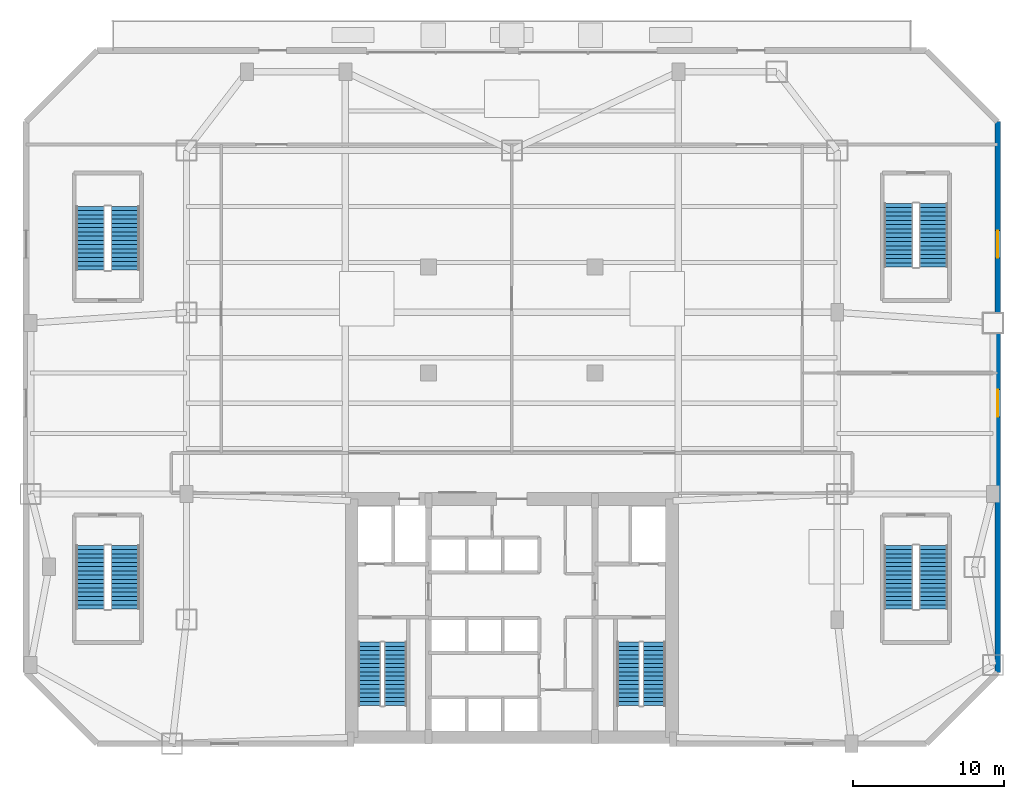
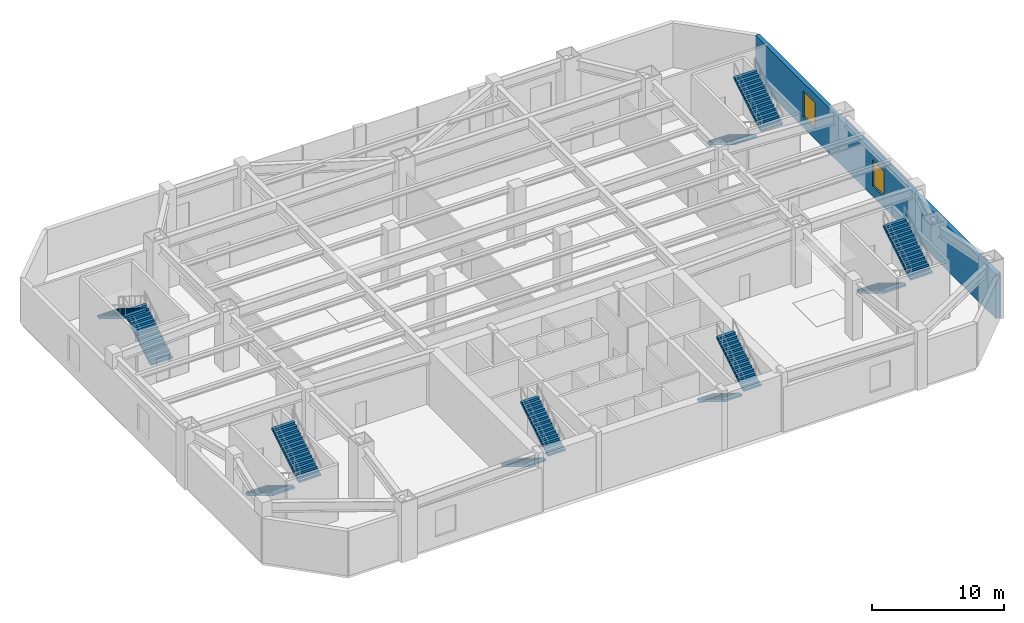
# One storey, part 6 of 9: 12 stair flights, 2 windows, 1 wall, 2 openings, 6 elements without a shape of their own.
"""IFC4 building model written with IfcOpenShell, lengths in metres."""

import ifcopenshell
import ifcopenshell.guid

model = None  # the IFC model being written
_history = None  # IfcOwnerHistory: only IFC2X3 demands one
_inside = {}  # id of a spatial element -> (the spatial element, [elements in it])
_under = {}  # id of a project, library or spatial element -> (it, [spatial elements below it])
_declared = {}  # id of a project -> (the project, [libraries it declares])
_typed = {}  # id of a type object -> (the type object, [elements of that type])
_made_of = {}  # id of a material, layer set ... -> (it, [elements and type objects made of it])


def new_model(schema):
    """Start an empty IFC model of exactly this schema.

    Asked for "IFC4X3", IfcOpenShell would pick the latest addendum, in which some entities
    have other attributes; the version numbers below select the first issue.
    IFC2X3 requires an IfcOwnerHistory on every rooted entity: one is made here for all.
    """
    global model, _history
    if schema == "IFC4X3":
        model = ifcopenshell.file(schema_version=(4, 3, 0, 0))
    else:
        model = ifcopenshell.file(schema=schema)
    _inside.clear()
    _under.clear()
    _declared.clear()
    _typed.clear()
    _made_of.clear()
    _history = None
    if model.schema == "IFC2X3":
        org = make("IfcOrganization", Name="unknown")
        user = make(
            "IfcPersonAndOrganization",
            ThePerson=make("IfcPerson", FamilyName="unknown"),
            TheOrganization=org,
        )
        app = make(
            "IfcApplication",
            ApplicationDeveloper=org,
            Version="unknown",
            ApplicationFullName="unknown",
            ApplicationIdentifier="unknown",
        )
        _history = make(
            "IfcOwnerHistory",
            OwningUser=user,
            OwningApplication=app,
            ChangeAction="ADDED",
            CreationDate=0,
        )
    return model


def make(cls, **values):
    """One entity of the class cls with the attributes given. An attribute that is None is left unset."""
    return model.create_entity(
        cls, **{name: value for name, value in values.items() if value is not None}
    )


def rooted(cls, **values):
    """An entity with a GlobalId (a new one), such as an element, a storey or a relation."""
    return make(cls, GlobalId=ifcopenshell.guid.new(), OwnerHistory=_history, **values)


def si_unit(unit_type, name, prefix=None):
    """IfcSIUnit, for example si_unit("LENGTHUNIT", "METRE", prefix="MILLI")."""
    return make("IfcSIUnit", UnitType=unit_type, Prefix=prefix, Name=name)


def assignment(units):
    """IfcUnitAssignment: the units of a project."""
    return None if units is None else make("IfcUnitAssignment", Units=units)


def point(xyz):
    """IfcCartesianPoint."""
    return None if xyz is None else make("IfcCartesianPoint", Coordinates=xyz)


def direction(xyz):
    """IfcDirection."""
    return None if xyz is None else make("IfcDirection", DirectionRatios=xyz)


def frame(location, z_axis=None, x_axis=None):
    """IfcAxis2Placement3D, a coordinate frame: its origin and axes. An axis left out is left unset."""
    return make(
        "IfcAxis2Placement3D",
        Location=point(location),
        Axis=direction(z_axis),
        RefDirection=direction(x_axis),
    )


def frame_2d(location, x_axis=None):
    """IfcAxis2Placement2D, a coordinate frame in the plane: its origin and x axis."""
    return make(
        "IfcAxis2Placement2D", Location=point(location), RefDirection=direction(x_axis)
    )


def origin():
    """The frame at (0, 0, 0) with its axes left unset."""
    return frame((0.0, 0.0, 0.0))


def place(relative_to, where):
    """IfcLocalPlacement: puts the frame where relative to a parent placement (None: the world)."""
    return make(
        "IfcLocalPlacement", PlacementRelTo=relative_to, RelativePlacement=where
    )


def context(
    kind, dimensions, precision=None, world=None, true_north=None, identifier=None
):
    """IfcGeometricRepresentationContext, for example the 3D "Model" context."""
    return make(
        "IfcGeometricRepresentationContext",
        ContextIdentifier=identifier,
        ContextType=kind,
        CoordinateSpaceDimension=dimensions,
        Precision=precision,
        WorldCoordinateSystem=world,
        TrueNorth=true_north,
    )


def subcontext(parent, identifier, kind, view, scale=None):
    """IfcGeometricRepresentationSubContext, for example "Body" below "Model"."""
    return make(
        "IfcGeometricRepresentationSubContext",
        ContextIdentifier=identifier,
        ContextType=kind,
        ParentContext=parent,
        TargetScale=scale,
        TargetView=view,
    )


def project(units=None, contexts=None):
    """IfcProject with its units and contexts."""
    return rooted(
        "IfcProject",
        Name="project",
        RepresentationContexts=contexts,
        UnitsInContext=assignment(units),
    )


def spatial(cls, under=None, at=None, **own):
    """A site, building, storey or space (cls), placed at a placement, below another one or the project."""
    s = rooted(cls, ObjectPlacement=at, **own)
    if under is not None:
        _under.setdefault(under.id(), (under, []))[1].append(s)
    return s


def polyline(points):
    """IfcPolyline through the points."""
    return make("IfcPolyline", Points=[point(p) for p in points])


def profile(cls, at=None, kind="AREA", **sizes):
    """A parametric profile (cls). Its sizes go by their IFC names, for example OverallWidth=200.0."""
    return make(cls, ProfileType=kind, Position=at, **sizes)


def rectangle(**sizes):
    """IfcRectangleProfileDef."""
    return profile("IfcRectangleProfileDef", **sizes)


def outline(outer, holes=None, kind="AREA"):
    """IfcArbitraryClosedProfileDef: a profile drawn as a closed curve; with holes, ...WithVoids."""
    if holes is None:
        return make("IfcArbitraryClosedProfileDef", ProfileType=kind, OuterCurve=outer)
    return make(
        "IfcArbitraryProfileDefWithVoids",
        ProfileType=kind,
        OuterCurve=outer,
        InnerCurves=holes,
    )


def extrude(swept, where, along, depth):
    """IfcExtrudedAreaSolid: the profile swept, set in the frame where, extruded along a direction by depth."""
    return make(
        "IfcExtrudedAreaSolid",
        SweptArea=swept,
        Position=where,
        ExtrudedDirection=direction(along),
        Depth=depth,
    )


def shape(context_of_items, identifier, shape_type, items):
    """IfcShapeRepresentation: the items that make up one representation, for example the "Body"."""
    return make(
        "IfcShapeRepresentation",
        ContextOfItems=context_of_items,
        RepresentationIdentifier=identifier,
        RepresentationType=shape_type,
        Items=items,
    )


def source(mapping_origin, context_of_items, identifier, shape_type, items):
    """IfcRepresentationMap: a shape defined once, which mapped items show again and again."""
    return make(
        "IfcRepresentationMap",
        MappingOrigin=mapping_origin,
        MappedRepresentation=shape(context_of_items, identifier, shape_type, items),
    )


def transform(
    local_origin,
    x_axis=None,
    y_axis=None,
    z_axis=None,
    scale=None,
    scale2=None,
    scale3=None,
    uniform=True,
):
    """IfcCartesianTransformationOperator3D, or its non-uniform kind. x_axis, y_axis, z_axis: its Axis1, 2, 3."""
    if uniform:
        return make(
            "IfcCartesianTransformationOperator3D",
            Axis1=direction(x_axis),
            Axis2=direction(y_axis),
            LocalOrigin=point(local_origin),
            Scale=scale,
            Axis3=direction(z_axis),
        )
    return make(
        "IfcCartesianTransformationOperator3DnonUniform",
        Axis1=direction(x_axis),
        Axis2=direction(y_axis),
        LocalOrigin=point(local_origin),
        Scale=scale,
        Axis3=direction(z_axis),
        Scale2=scale2,
        Scale3=scale3,
    )


def mapped(mapping_source, mapping_target):
    """IfcMappedItem: shows the shape of a source again, moved by a transform."""
    return make(
        "IfcMappedItem", MappingSource=mapping_source, MappingTarget=mapping_target
    )


def material(Name=None, Category=None):
    """IfcMaterial."""
    return make("IfcMaterial", Name=Name, Category=Category)


def layer(
    of_material, thickness, ventilated=None, Name=None, Category=None, Priority=None
):
    """IfcMaterialLayer: one layer of a wall or slab, of a material (None: an air gap)."""
    return make(
        "IfcMaterialLayer",
        Material=of_material,
        LayerThickness=thickness,
        IsVentilated=ventilated,
        Name=Name,
        Category=Category,
        Priority=Priority,
    )


def layer_set(layers, Name=None):
    """IfcMaterialLayerSet."""
    return make("IfcMaterialLayerSet", MaterialLayers=layers, LayerSetName=Name)


def made_of(thing, what):
    """Note that an element or type object is made of a material, layer set ...; save() writes the relation."""
    if what is not None:
        _made_of.setdefault(what.id(), (what, []))[1].append(thing)
    return thing


def type_object(cls, material=None, **own):
    """A type object (cls), such as IfcWallType, which elements share."""
    return made_of(rooted(cls, **own), material)


def type_shapes(of_type, sources):
    """Give a type object the sources (RepresentationMaps) that its elements show as mapped items."""
    of_type.RepresentationMaps = sources


def element(
    cls,
    number,
    at=None,
    inside=None,
    cuts=None,
    type_object=None,
    material=None,
    context=None,
    identifier="Body",
    shape_type=None,
    held_by="IfcProductDefinitionShape",
    body=None,
    shapes=None,
    **own,
):
    """One element of the class cls, such as IfcWall. Its Tag is "e" and its number.

    at: its placement. inside: the storey or other place that contains it. cuts: it is an
    opening in that element (IfcRelVoidsElement). A single representation is given by context,
    identifier, shape_type and body (its items); several are given by shapes. held_by: the class
    of the entity that holds the representations. save() writes the other relations.
    """
    e = rooted(cls, Tag="e%d" % number, ObjectPlacement=at, **own)
    if body is not None:
        shapes = [shape(context, identifier, shape_type, body)]
    if shapes is not None:
        e.Representation = make(held_by, Representations=shapes)
    if inside is not None:
        _inside.setdefault(inside.id(), (inside, []))[1].append(e)
    if cuts is not None:
        rooted(
            "IfcRelVoidsElement", RelatingBuildingElement=cuts, RelatedOpeningElement=e
        )
    if type_object is not None:
        _typed.setdefault(type_object.id(), (type_object, []))[1].append(e)
    return made_of(e, material)


def fill(opening, filler):
    """IfcRelFillsElement: the door or window that sits in an opening."""
    return rooted(
        "IfcRelFillsElement",
        RelatingOpeningElement=opening,
        RelatedBuildingElement=filler,
    )


def aggregate(whole, parts):
    """IfcRelAggregates: a whole, such as a stair, and the parts it consists of."""
    return rooted("IfcRelAggregates", RelatingObject=whole, RelatedObjects=parts)


def save(model, path):
    """Write the relations noted so far, then the file.

    IfcRelAggregates (storeys below a building ...), IfcRelContainedInSpatialStructure (elements
    in a storey), IfcRelDefinesByType, IfcRelAssociatesMaterial and IfcRelDeclares: one each for
    every whole, place, type object, material and project.
    """
    for whole, parts in _under.values():
        aggregate(whole, parts)
    for where, things in _inside.values():
        rooted(
            "IfcRelContainedInSpatialStructure",
            RelatedElements=things,
            RelatingStructure=where,
        )
    for kind, things in _typed.values():
        rooted("IfcRelDefinesByType", RelatedObjects=things, RelatingType=kind)
    for what, things in _made_of.values():
        rooted("IfcRelAssociatesMaterial", RelatedObjects=things, RelatingMaterial=what)
    for by, libraries in _declared.values():
        rooted("IfcRelDeclares", RelatingContext=by, RelatedDefinitions=libraries)
    model.write(path)


model = new_model("IFC4")

# Units and contexts
model_context = context("Model", 3, precision=1e-05, world=origin(), true_north=direction((0.0, 1.0)))
body_context = subcontext(model_context, "Body", "Model", "MODEL_VIEW")
ifc_project = project(units=[si_unit("LENGTHUNIT", "METRE"), si_unit("AREAUNIT", "SQUARE_METRE"), si_unit("VOLUMEUNIT", "CUBIC_METRE"), si_unit("PLANEANGLEUNIT", "RADIAN"), si_unit("MASSUNIT", "GRAM", prefix="KILO")], contexts=[model_context])

# Site, building, storey
site_placement = place(None, origin())
site = spatial("IfcSite", under=ifc_project, at=site_placement, CompositionType="ELEMENT")
building_placement = place(site_placement, origin())
building = spatial("IfcBuilding", under=site, at=building_placement, Name="Varnakhor Terracotta Tower", CompositionType="ELEMENT")
storey_placement = place(building_placement, frame((0.0, 0.0, 11.0)))
storey = spatial("IfcBuildingStorey", under=building, at=storey_placement, Name="L02", CompositionType="ELEMENT", Elevation=11.0)

# Wall, openings, windows
ifc_material_1 = material(Name="Honed Riyadh Limestone Assembly", Category="masonry")
ifc_layer = layer(ifc_material_1, 0.3798828125, Name="Honed Riyadh Limestone Assembly")
ifc_layer_set = layer_set([ifc_layer], Name="Honed Riyadh Limestone Assembly")
wall_type = type_object("IfcWallType", Name="WAL-EXT-LIMESTONE-380", PredefinedType="SOLIDWALL", material=ifc_layer_set)
wall_placement = place(storey_placement, frame((32.10009765625, 41.10009765625, 0.0), z_axis=(0.0, 0.0, 1.0), x_axis=(0.0, -1.0, 0.0)))
wall = element("IfcWall", 1, at=wall_placement, inside=storey, type_object=wall_type, Name="L02 Podium Side Limestone Wall 5", PredefinedType="SOLIDWALL", context=body_context, shape_type="SweptSolid", body=[
    extrude(rectangle(XDim=36.400146484375, YDim=0.3798828125, at=frame_2d((18.2001953125, 0.0))), origin(), (0.0, 0.0, 1.0), 4.125),
])
opening_1_placement = place(wall_placement, frame((17.699951171875, 0.0, 0.949951171875)))
opening_1 = element("IfcOpeningElement", 2, at=opening_1_placement, cuts=wall, Name="Opening WN-19", PredefinedType="OPENING", context=body_context, shape_type="SweptSolid", body=[
    extrude(rectangle(XDim=1.800048828125, YDim=2.39990234375, at=frame_2d((0.89990234375, 1.199951171875))), frame((0.0, 0.199951171875, 0.0), z_axis=(0.0, -1.0, 0.0), x_axis=(1.0, 0.0, 0.0)), (0.0, 0.0, 1.0), 0.39990234375),
])
opening_2_placement = place(wall_placement, frame((7.199951171875, 0.0, 0.949951171875)))
opening_2 = element("IfcOpeningElement", 3, at=opening_2_placement, cuts=wall, Name="Opening WN-19", PredefinedType="OPENING", context=body_context, shape_type="SweptSolid", body=[
    extrude(rectangle(XDim=1.800048828125, YDim=2.39990234375, at=frame_2d((0.89990234375, 1.199951171875))), frame((0.0, 0.199951171875, 0.0), z_axis=(0.0, -1.0, 0.0), x_axis=(1.0, 0.0, 0.0)), (0.0, 0.0, 1.0), 0.39990234375),
])
ifc_material_2 = material(Name="Solar-Control Low-E Insulated Glass Unit", Category="glass")
window_type = type_object("IfcWindowType", Name="WIN-POD-1800X2400", PartitioningType="SINGLE_PANEL", PredefinedType="WINDOW", material=ifc_material_2)
shared_shape = source(origin(), body_context, "Body", "SweptSolid", [
    extrude(rectangle(XDim=1.800048828125, YDim=2.39990234375, at=frame_2d((0.89990234375, 1.199951171875))), frame((0.0, 0.030029296875, 0.0), z_axis=(0.0, -1.0, 0.0), x_axis=(1.0, 0.0, 0.0)), (0.0, 0.0, 1.0), 0.06005859375),
])
type_shapes(window_type, [shared_shape])
window_1_placement = place(opening_1_placement, origin())
window_1 = element("IfcWindow", 4, at=window_1_placement, inside=storey, type_object=window_type, Name="L02 Side Punched Window 5-2", OverallHeight=2.39990234375, OverallWidth=1.800048828125, PartitioningType="SINGLE_PANEL", PredefinedType="WINDOW", context=body_context, shape_type="MappedRepresentation", body=[
    mapped(shared_shape, transform((0.0, 0.0, 0.0), scale=1.0)),
])
fill(opening_1, window_1)
window_2_placement = place(opening_2_placement, origin())
window_2 = element("IfcWindow", 5, at=window_2_placement, inside=storey, type_object=window_type, Name="L02 Side Punched Window 5-3", OverallHeight=2.39990234375, OverallWidth=1.800048828125, PartitioningType="SINGLE_PANEL", PredefinedType="WINDOW", context=body_context, shape_type="MappedRepresentation", body=[
    mapped(shared_shape, transform((0.0, 0.0, 0.0), scale=1.0)),
])
fill(opening_2, window_2)

# Stair, stair flights
ifc_material_3 = material(Name="Concrete C40/50", Category="concrete")
stair_type_1 = type_object("IfcStairType", Name="STR-CORE-OFFICE-1500", PredefinedType="HALF_TURN_STAIR", material=ifc_material_3)
stair_1_placement = place(storey_placement, origin())
stair_1 = element("IfcStair", 6, at=stair_1_placement, inside=storey, type_object=stair_type_1, Name="L02 Core Exit Stair ST-1", PredefinedType="HALF_TURN_STAIR")
stair_flight_type_1 = type_object("IfcStairFlightType", Name="FLT-CORE-1500", PredefinedType="STRAIGHT", material=ifc_material_3)
stair_flight_1_placement = place(storey_placement, frame((-9.39990234375, 6.7099609375, 0.0), z_axis=(0.0, 0.0, 1.0), x_axis=(0.0, -1.0, 0.0)))
stair_flight_1 = element("IfcStairFlight", 7, at=stair_flight_1_placement, type_object=stair_flight_type_1, Name="ST-1 flight 1", NumberOfRisers=16, NumberOfTreads=15, PredefinedType="STRAIGHT", RiserHeight=0.171875, TreadLength=0.28, context=body_context, shape_type="SweptSolid", body=[
    extrude(outline(polyline([(0.0, 0.0), (0.0, 0.171875), (0.280029296875, 0.171875), (0.280029296875, 0.34375), (0.56005859375, 0.34375), (0.56005859375, 0.515625), (0.840087890625, 0.515625), (0.840087890625, 0.6875), (1.1201171875, 0.6875), (1.1201171875, 0.859375), (1.39990234375, 0.859375), (1.39990234375, 1.03125), (1.679931640625, 1.03125), (1.679931640625, 1.203125), (1.9599609375, 1.203125), (1.9599609375, 1.375), (2.239990234375, 1.375), (2.239990234375, 1.546875), (2.52001953125, 1.546875), (2.52001953125, 1.71875), (2.800048828125, 1.71875), (2.800048828125, 1.890625), (3.080078125, 1.890625), (3.080078125, 2.0625), (3.360107421875, 2.0625), (3.360107421875, 2.234375), (3.639892578125, 2.234375), (3.639892578125, 2.40625), (3.919921875, 2.40625), (3.919921875, 2.578125), (4.199951171875, 2.578125), (4.199951171875, 2.75), (4.199951171875, 2.390380859375), (0.3056640625, 0.0), (0.0, 0.0)])), frame((0.0, 0.75, 0.0), z_axis=(0.0, -1.0, 0.0), x_axis=(1.0, 0.0, 0.0)), (0.0, 0.0, 1.0), 1.5),
])
stair_flight_2_placement = place(storey_placement, frame((-7.699951171875, 2.510009765625, 2.75), z_axis=(0.0, 0.0, 1.0), x_axis=(0.0, 1.0, 0.0)))
stair_flight_2 = element("IfcStairFlight", 8, at=stair_flight_2_placement, type_object=stair_flight_type_1, Name="ST-1 flight 2", NumberOfRisers=16, NumberOfTreads=15, PredefinedType="STRAIGHT", RiserHeight=0.171875, TreadLength=0.28, context=body_context, shape_type="SweptSolid", body=[
    extrude(outline(polyline([(0.0, 0.0), (0.0, 0.171875), (0.280029296875, 0.171875), (0.280029296875, 0.34375), (0.56005859375, 0.34375), (0.56005859375, 0.515625), (0.840087890625, 0.515625), (0.840087890625, 0.6875), (1.1201171875, 0.6875), (1.1201171875, 0.859375), (1.39990234375, 0.859375), (1.39990234375, 1.03125), (1.679931640625, 1.03125), (1.679931640625, 1.203125), (1.9599609375, 1.203125), (1.9599609375, 1.375), (2.239990234375, 1.375), (2.239990234375, 1.546875), (2.52001953125, 1.546875), (2.52001953125, 1.71875), (2.800048828125, 1.71875), (2.800048828125, 1.890625), (3.080078125, 1.890625), (3.080078125, 2.0625), (3.360107421875, 2.0625), (3.360107421875, 2.234375), (3.639892578125, 2.234375), (3.639892578125, 2.40625), (3.919921875, 2.40625), (3.919921875, 2.578125), (4.199951171875, 2.578125), (4.199951171875, 2.75), (4.199951171875, 2.390380859375), (0.3056640625, 0.0), (0.0, 0.0)])), frame((0.0, 0.75, 0.0), z_axis=(0.0, -1.0, 0.0), x_axis=(1.0, 0.0, 0.0)), (0.0, 0.0, 1.0), 1.5),
])
aggregate(stair_1, [stair_flight_1, stair_flight_2])

stair_2_placement = place(storey_placement, origin())
stair_2 = element("IfcStair", 9, at=stair_2_placement, inside=storey, type_object=stair_type_1, Name="L02 Core Exit Stair ST-2", PredefinedType="HALF_TURN_STAIR")
stair_flight_3_placement = place(storey_placement, frame((7.699951171875, 6.7099609375, 0.0), z_axis=(0.0, 0.0, 1.0), x_axis=(0.0, -1.0, 0.0)))
stair_flight_3 = element("IfcStairFlight", 10, at=stair_flight_3_placement, type_object=stair_flight_type_1, Name="ST-2 flight 1", NumberOfRisers=16, NumberOfTreads=15, PredefinedType="STRAIGHT", RiserHeight=0.171875, TreadLength=0.28, context=body_context, shape_type="SweptSolid", body=[
    extrude(outline(polyline([(0.0, 0.0), (0.0, 0.171875), (0.280029296875, 0.171875), (0.280029296875, 0.34375), (0.56005859375, 0.34375), (0.56005859375, 0.515625), (0.840087890625, 0.515625), (0.840087890625, 0.6875), (1.1201171875, 0.6875), (1.1201171875, 0.859375), (1.39990234375, 0.859375), (1.39990234375, 1.03125), (1.679931640625, 1.03125), (1.679931640625, 1.203125), (1.9599609375, 1.203125), (1.9599609375, 1.375), (2.239990234375, 1.375), (2.239990234375, 1.546875), (2.52001953125, 1.546875), (2.52001953125, 1.71875), (2.800048828125, 1.71875), (2.800048828125, 1.890625), (3.080078125, 1.890625), (3.080078125, 2.0625), (3.360107421875, 2.0625), (3.360107421875, 2.234375), (3.639892578125, 2.234375), (3.639892578125, 2.40625), (3.919921875, 2.40625), (3.919921875, 2.578125), (4.199951171875, 2.578125), (4.199951171875, 2.75), (4.199951171875, 2.390380859375), (0.3056640625, 0.0), (0.0, 0.0)])), frame((0.0, 0.75, 0.0), z_axis=(0.0, -1.0, 0.0), x_axis=(1.0, 0.0, 0.0)), (0.0, 0.0, 1.0), 1.5),
])
stair_flight_4_placement = place(storey_placement, frame((9.39990234375, 2.510009765625, 2.75), z_axis=(0.0, 0.0, 1.0), x_axis=(0.0, 1.0, 0.0)))
stair_flight_4 = element("IfcStairFlight", 11, at=stair_flight_4_placement, type_object=stair_flight_type_1, Name="ST-2 flight 2", NumberOfRisers=16, NumberOfTreads=15, PredefinedType="STRAIGHT", RiserHeight=0.171875, TreadLength=0.28, context=body_context, shape_type="SweptSolid", body=[
    extrude(outline(polyline([(0.0, 0.0), (0.0, 0.171875), (0.280029296875, 0.171875), (0.280029296875, 0.34375), (0.56005859375, 0.34375), (0.56005859375, 0.515625), (0.840087890625, 0.515625), (0.840087890625, 0.6875), (1.1201171875, 0.6875), (1.1201171875, 0.859375), (1.39990234375, 0.859375), (1.39990234375, 1.03125), (1.679931640625, 1.03125), (1.679931640625, 1.203125), (1.9599609375, 1.203125), (1.9599609375, 1.375), (2.239990234375, 1.375), (2.239990234375, 1.546875), (2.52001953125, 1.546875), (2.52001953125, 1.71875), (2.800048828125, 1.71875), (2.800048828125, 1.890625), (3.080078125, 1.890625), (3.080078125, 2.0625), (3.360107421875, 2.0625), (3.360107421875, 2.234375), (3.639892578125, 2.234375), (3.639892578125, 2.40625), (3.919921875, 2.40625), (3.919921875, 2.578125), (4.199951171875, 2.578125), (4.199951171875, 2.75), (4.199951171875, 2.390380859375), (0.3056640625, 0.0), (0.0, 0.0)])), frame((0.0, 0.75, 0.0), z_axis=(0.0, -1.0, 0.0), x_axis=(1.0, 0.0, 0.0)), (0.0, 0.0, 1.0), 1.5),
])
aggregate(stair_2, [stair_flight_3, stair_flight_4])

stair_type_2 = type_object("IfcStairType", Name="STR-PODIUM-EXIT-2000", PredefinedType="HALF_TURN_STAIR", material=ifc_material_3)
stair_3_placement = place(storey_placement, origin())
stair_3 = element("IfcStair", 12, at=stair_3_placement, inside=storey, type_object=stair_type_2, Name="L02 Podium Assembly Exit Stair ST-P1", PredefinedType="HALF_TURN_STAIR")
stair_flight_type_2 = type_object("IfcStairFlightType", Name="FLT-PODIUM-2000", PredefinedType="STRAIGHT", material=ifc_material_3)
stair_flight_5_placement = place(storey_placement, frame((-27.85009765625, 13.10009765625, 0.0), z_axis=(0.0, 0.0, 1.0), x_axis=(0.0, -1.0, 0.0)))
stair_flight_5 = element("IfcStairFlight", 13, at=stair_flight_5_placement, type_object=stair_flight_type_2, Name="ST-P1 flight 1", NumberOfRisers=16, NumberOfTreads=15, PredefinedType="STRAIGHT", RiserHeight=0.171875, TreadLength=0.28, context=body_context, shape_type="SweptSolid", body=[
    extrude(outline(polyline([(0.0, 0.0), (0.0, 0.171875), (0.280029296875, 0.171875), (0.280029296875, 0.34375), (0.56005859375, 0.34375), (0.56005859375, 0.515625), (0.840087890625, 0.515625), (0.840087890625, 0.6875), (1.1201171875, 0.6875), (1.1201171875, 0.859375), (1.39990234375, 0.859375), (1.39990234375, 1.03125), (1.679931640625, 1.03125), (1.679931640625, 1.203125), (1.9599609375, 1.203125), (1.9599609375, 1.375), (2.239990234375, 1.375), (2.239990234375, 1.546875), (2.52001953125, 1.546875), (2.52001953125, 1.71875), (2.800048828125, 1.71875), (2.800048828125, 1.890625), (3.080078125, 1.890625), (3.080078125, 2.0625), (3.360107421875, 2.0625), (3.360107421875, 2.234375), (3.639892578125, 2.234375), (3.639892578125, 2.40625), (3.919921875, 2.40625), (3.919921875, 2.578125), (4.199951171875, 2.578125), (4.199951171875, 2.75), (4.199951171875, 2.366943359375), (0.343994140625, 0.0), (0.0, 0.0)])), frame((0.0, 0.949951171875, 0.0), z_axis=(0.0, -1.0, 0.0), x_axis=(1.0, 0.0, 0.0)), (0.0, 0.0, 1.0), 1.89990234375),
])
stair_flight_6_placement = place(storey_placement, frame((-25.550048828125, 8.89990234375, 2.75), z_axis=(0.0, 0.0, 1.0), x_axis=(0.0, 1.0, 0.0)))
stair_flight_6 = element("IfcStairFlight", 14, at=stair_flight_6_placement, type_object=stair_flight_type_2, Name="ST-P1 flight 2", NumberOfRisers=16, NumberOfTreads=15, PredefinedType="STRAIGHT", RiserHeight=0.171875, TreadLength=0.28, context=body_context, shape_type="SweptSolid", body=[
    extrude(outline(polyline([(0.0, 0.0), (0.0, 0.171875), (0.280029296875, 0.171875), (0.280029296875, 0.34375), (0.56005859375, 0.34375), (0.56005859375, 0.515625), (0.840087890625, 0.515625), (0.840087890625, 0.6875), (1.1201171875, 0.6875), (1.1201171875, 0.859375), (1.39990234375, 0.859375), (1.39990234375, 1.03125), (1.679931640625, 1.03125), (1.679931640625, 1.203125), (1.9599609375, 1.203125), (1.9599609375, 1.375), (2.239990234375, 1.375), (2.239990234375, 1.546875), (2.52001953125, 1.546875), (2.52001953125, 1.71875), (2.800048828125, 1.71875), (2.800048828125, 1.890625), (3.080078125, 1.890625), (3.080078125, 2.0625), (3.360107421875, 2.0625), (3.360107421875, 2.234375), (3.639892578125, 2.234375), (3.639892578125, 2.40625), (3.919921875, 2.40625), (3.919921875, 2.578125), (4.199951171875, 2.578125), (4.199951171875, 2.75), (4.199951171875, 2.366943359375), (0.343994140625, 0.0), (0.0, 0.0)])), frame((0.0, 0.949951171875, 0.0), z_axis=(0.0, -1.0, 0.0), x_axis=(1.0, 0.0, 0.0)), (0.0, 0.0, 1.0), 1.89990234375),
])
aggregate(stair_3, [stair_flight_5, stair_flight_6])

stair_4_placement = place(storey_placement, origin())
stair_4 = element("IfcStair", 15, at=stair_4_placement, inside=storey, type_object=stair_type_2, Name="L02 Podium Assembly Exit Stair ST-P2", PredefinedType="HALF_TURN_STAIR")
stair_flight_7_placement = place(storey_placement, frame((25.550048828125, 13.10009765625, 0.0), z_axis=(0.0, 0.0, 1.0), x_axis=(0.0, -1.0, 0.0)))
stair_flight_7 = element("IfcStairFlight", 16, at=stair_flight_7_placement, type_object=stair_flight_type_2, Name="ST-P2 flight 1", NumberOfRisers=16, NumberOfTreads=15, PredefinedType="STRAIGHT", RiserHeight=0.171875, TreadLength=0.28, context=body_context, shape_type="SweptSolid", body=[
    extrude(outline(polyline([(0.0, 0.0), (0.0, 0.171875), (0.280029296875, 0.171875), (0.280029296875, 0.34375), (0.56005859375, 0.34375), (0.56005859375, 0.515625), (0.840087890625, 0.515625), (0.840087890625, 0.6875), (1.1201171875, 0.6875), (1.1201171875, 0.859375), (1.39990234375, 0.859375), (1.39990234375, 1.03125), (1.679931640625, 1.03125), (1.679931640625, 1.203125), (1.9599609375, 1.203125), (1.9599609375, 1.375), (2.239990234375, 1.375), (2.239990234375, 1.546875), (2.52001953125, 1.546875), (2.52001953125, 1.71875), (2.800048828125, 1.71875), (2.800048828125, 1.890625), (3.080078125, 1.890625), (3.080078125, 2.0625), (3.360107421875, 2.0625), (3.360107421875, 2.234375), (3.639892578125, 2.234375), (3.639892578125, 2.40625), (3.919921875, 2.40625), (3.919921875, 2.578125), (4.199951171875, 2.578125), (4.199951171875, 2.75), (4.199951171875, 2.366943359375), (0.343994140625, 0.0), (0.0, 0.0)])), frame((0.0, 0.949951171875, 0.0), z_axis=(0.0, -1.0, 0.0), x_axis=(1.0, 0.0, 0.0)), (0.0, 0.0, 1.0), 1.89990234375),
])
stair_flight_8_placement = place(storey_placement, frame((27.85009765625, 8.89990234375, 2.75), z_axis=(0.0, 0.0, 1.0), x_axis=(0.0, 1.0, 0.0)))
stair_flight_8 = element("IfcStairFlight", 17, at=stair_flight_8_placement, type_object=stair_flight_type_2, Name="ST-P2 flight 2", NumberOfRisers=16, NumberOfTreads=15, PredefinedType="STRAIGHT", RiserHeight=0.171875, TreadLength=0.28, context=body_context, shape_type="SweptSolid", body=[
    extrude(outline(polyline([(0.0, 0.0), (0.0, 0.171875), (0.280029296875, 0.171875), (0.280029296875, 0.34375), (0.56005859375, 0.34375), (0.56005859375, 0.515625), (0.840087890625, 0.515625), (0.840087890625, 0.6875), (1.1201171875, 0.6875), (1.1201171875, 0.859375), (1.39990234375, 0.859375), (1.39990234375, 1.03125), (1.679931640625, 1.03125), (1.679931640625, 1.203125), (1.9599609375, 1.203125), (1.9599609375, 1.375), (2.239990234375, 1.375), (2.239990234375, 1.546875), (2.52001953125, 1.546875), (2.52001953125, 1.71875), (2.800048828125, 1.71875), (2.800048828125, 1.890625), (3.080078125, 1.890625), (3.080078125, 2.0625), (3.360107421875, 2.0625), (3.360107421875, 2.234375), (3.639892578125, 2.234375), (3.639892578125, 2.40625), (3.919921875, 2.40625), (3.919921875, 2.578125), (4.199951171875, 2.578125), (4.199951171875, 2.75), (4.199951171875, 2.366943359375), (0.343994140625, 0.0), (0.0, 0.0)])), frame((0.0, 0.949951171875, 0.0), z_axis=(0.0, -1.0, 0.0), x_axis=(1.0, 0.0, 0.0)), (0.0, 0.0, 1.0), 1.89990234375),
])
aggregate(stair_4, [stair_flight_7, stair_flight_8])

stair_5_placement = place(storey_placement, origin())
stair_5 = element("IfcStair", 18, at=stair_5_placement, inside=storey, type_object=stair_type_2, Name="L02 Podium Assembly Exit Stair ST-P3", PredefinedType="HALF_TURN_STAIR")
stair_flight_9_placement = place(storey_placement, frame((-25.550048828125, 31.300048828125, 0.0), z_axis=(0.0, 0.0, 1.0), x_axis=(0.0, 1.0, 0.0)))
stair_flight_9 = element("IfcStairFlight", 19, at=stair_flight_9_placement, type_object=stair_flight_type_2, Name="ST-P3 flight 1", NumberOfRisers=16, NumberOfTreads=15, PredefinedType="STRAIGHT", RiserHeight=0.171875, TreadLength=0.28, context=body_context, shape_type="SweptSolid", body=[
    extrude(outline(polyline([(0.0, 0.0), (0.0, 0.171875), (0.280029296875, 0.171875), (0.280029296875, 0.34375), (0.56005859375, 0.34375), (0.56005859375, 0.515625), (0.840087890625, 0.515625), (0.840087890625, 0.6875), (1.1201171875, 0.6875), (1.1201171875, 0.859375), (1.39990234375, 0.859375), (1.39990234375, 1.03125), (1.679931640625, 1.03125), (1.679931640625, 1.203125), (1.9599609375, 1.203125), (1.9599609375, 1.375), (2.239990234375, 1.375), (2.239990234375, 1.546875), (2.52001953125, 1.546875), (2.52001953125, 1.71875), (2.800048828125, 1.71875), (2.800048828125, 1.890625), (3.080078125, 1.890625), (3.080078125, 2.0625), (3.360107421875, 2.0625), (3.360107421875, 2.234375), (3.639892578125, 2.234375), (3.639892578125, 2.40625), (3.919921875, 2.40625), (3.919921875, 2.578125), (4.199951171875, 2.578125), (4.199951171875, 2.75), (4.199951171875, 2.366943359375), (0.343994140625, 0.0), (0.0, 0.0)])), frame((0.0, 0.949951171875, 0.0), z_axis=(0.0, -1.0, 0.0), x_axis=(1.0, 0.0, 0.0)), (0.0, 0.0, 1.0), 1.89990234375),
])
stair_flight_10_placement = place(storey_placement, frame((-27.85009765625, 35.5, 2.75), z_axis=(0.0, 0.0, 1.0), x_axis=(0.0, -1.0, 0.0)))
stair_flight_10 = element("IfcStairFlight", 20, at=stair_flight_10_placement, type_object=stair_flight_type_2, Name="ST-P3 flight 2", NumberOfRisers=16, NumberOfTreads=15, PredefinedType="STRAIGHT", RiserHeight=0.171875, TreadLength=0.28, context=body_context, shape_type="SweptSolid", body=[
    extrude(outline(polyline([(0.0, 0.0), (0.0, 0.171875), (0.280029296875, 0.171875), (0.280029296875, 0.34375), (0.56005859375, 0.34375), (0.56005859375, 0.515625), (0.840087890625, 0.515625), (0.840087890625, 0.6875), (1.1201171875, 0.6875), (1.1201171875, 0.859375), (1.39990234375, 0.859375), (1.39990234375, 1.03125), (1.679931640625, 1.03125), (1.679931640625, 1.203125), (1.9599609375, 1.203125), (1.9599609375, 1.375), (2.239990234375, 1.375), (2.239990234375, 1.546875), (2.52001953125, 1.546875), (2.52001953125, 1.71875), (2.800048828125, 1.71875), (2.800048828125, 1.890625), (3.080078125, 1.890625), (3.080078125, 2.0625), (3.360107421875, 2.0625), (3.360107421875, 2.234375), (3.639892578125, 2.234375), (3.639892578125, 2.40625), (3.919921875, 2.40625), (3.919921875, 2.578125), (4.199951171875, 2.578125), (4.199951171875, 2.75), (4.199951171875, 2.366943359375), (0.343994140625, 0.0), (0.0, 0.0)])), frame((0.0, 0.949951171875, 0.0), z_axis=(0.0, -1.0, 0.0), x_axis=(1.0, 0.0, 0.0)), (0.0, 0.0, 1.0), 1.89990234375),
])
aggregate(stair_5, [stair_flight_9, stair_flight_10])

stair_6_placement = place(storey_placement, origin())
stair_6 = element("IfcStair", 21, at=stair_6_placement, inside=storey, type_object=stair_type_2, Name="L02 Podium Assembly Exit Stair ST-P4", PredefinedType="HALF_TURN_STAIR")
stair_flight_11_placement = place(storey_placement, frame((25.550048828125, 35.699951171875, 0.0), z_axis=(0.0, 0.0, 1.0), x_axis=(0.0, -1.0, 0.0)))
stair_flight_11 = element("IfcStairFlight", 22, at=stair_flight_11_placement, type_object=stair_flight_type_2, Name="ST-P4 flight 1", NumberOfRisers=16, NumberOfTreads=15, PredefinedType="STRAIGHT", RiserHeight=0.171875, TreadLength=0.28, context=body_context, shape_type="SweptSolid", body=[
    extrude(outline(polyline([(0.0, 0.0), (0.0, 0.171875), (0.280029296875, 0.171875), (0.280029296875, 0.34375), (0.56005859375, 0.34375), (0.56005859375, 0.515625), (0.840087890625, 0.515625), (0.840087890625, 0.6875), (1.1201171875, 0.6875), (1.1201171875, 0.859375), (1.39990234375, 0.859375), (1.39990234375, 1.03125), (1.679931640625, 1.03125), (1.679931640625, 1.203125), (1.9599609375, 1.203125), (1.9599609375, 1.375), (2.239990234375, 1.375), (2.239990234375, 1.546875), (2.52001953125, 1.546875), (2.52001953125, 1.71875), (2.800048828125, 1.71875), (2.800048828125, 1.890625), (3.080078125, 1.890625), (3.080078125, 2.0625), (3.360107421875, 2.0625), (3.360107421875, 2.234375), (3.639892578125, 2.234375), (3.639892578125, 2.40625), (3.919921875, 2.40625), (3.919921875, 2.578125), (4.199951171875, 2.578125), (4.199951171875, 2.75), (4.199951171875, 2.366943359375), (0.343994140625, 0.0), (0.0, 0.0)])), frame((0.0, 0.949951171875, 0.0), z_axis=(0.0, -1.0, 0.0), x_axis=(1.0, 0.0, 0.0)), (0.0, 0.0, 1.0), 1.89990234375),
])
stair_flight_12_placement = place(storey_placement, frame((27.85009765625, 31.5, 2.75), z_axis=(0.0, 0.0, 1.0), x_axis=(0.0, 1.0, 0.0)))
stair_flight_12 = element("IfcStairFlight", 23, at=stair_flight_12_placement, type_object=stair_flight_type_2, Name="ST-P4 flight 2", NumberOfRisers=16, NumberOfTreads=15, PredefinedType="STRAIGHT", RiserHeight=0.171875, TreadLength=0.28, context=body_context, shape_type="SweptSolid", body=[
    extrude(outline(polyline([(0.0, 0.0), (0.0, 0.171875), (0.280029296875, 0.171875), (0.280029296875, 0.34375), (0.56005859375, 0.34375), (0.56005859375, 0.515625), (0.840087890625, 0.515625), (0.840087890625, 0.6875), (1.1201171875, 0.6875), (1.1201171875, 0.859375), (1.39990234375, 0.859375), (1.39990234375, 1.03125), (1.679931640625, 1.03125), (1.679931640625, 1.203125), (1.9599609375, 1.203125), (1.9599609375, 1.375), (2.239990234375, 1.375), (2.239990234375, 1.546875), (2.52001953125, 1.546875), (2.52001953125, 1.71875), (2.800048828125, 1.71875), (2.800048828125, 1.890625), (3.080078125, 1.890625), (3.080078125, 2.0625), (3.360107421875, 2.0625), (3.360107421875, 2.234375), (3.639892578125, 2.234375), (3.639892578125, 2.40625), (3.919921875, 2.40625), (3.919921875, 2.578125), (4.199951171875, 2.578125), (4.199951171875, 2.75), (4.199951171875, 2.366943359375), (0.343994140625, 0.0), (0.0, 0.0)])), frame((0.0, 0.949951171875, 0.0), z_axis=(0.0, -1.0, 0.0), x_axis=(1.0, 0.0, 0.0)), (0.0, 0.0, 1.0), 1.89990234375),
])
aggregate(stair_6, [stair_flight_11, stair_flight_12])

save(model, "model.ifc")
